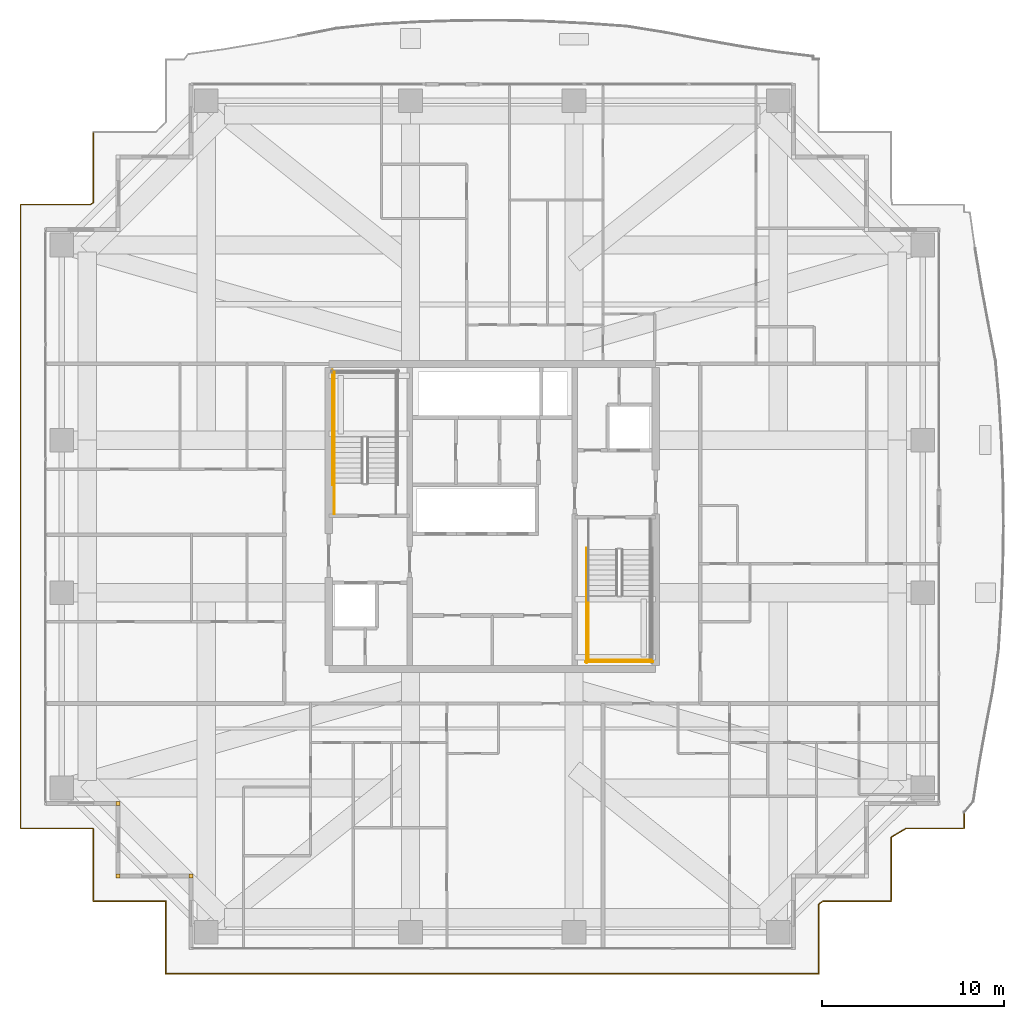
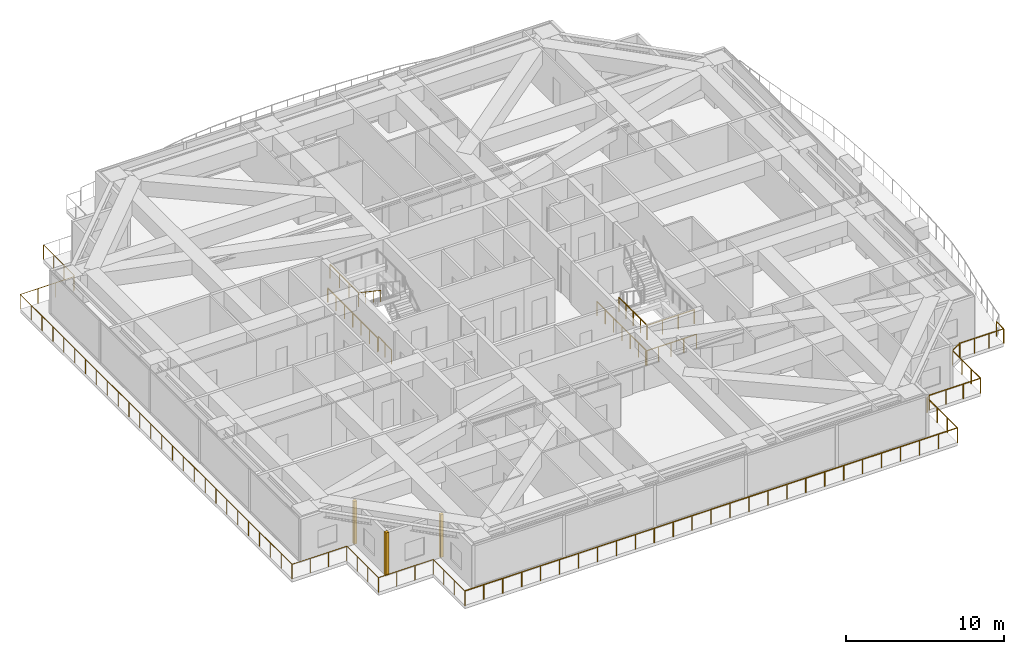
# One storey, part 29 of 32: 10 railings, 3 coverings.
"""IFC4 building model written with IfcOpenShell, lengths in metres."""

from ifc_helpers import new_model, si_unit, direction, frame, origin, origin_2d, place, context, subcontext, project, spatial, rectangle, circle, extrude, source, transform, mapped, material, layer, layer_set, type_object, element, save


model = new_model("IFC4")

# Units and contexts
model_context = context("Model", 3, precision=1e-05, world=origin(), true_north=direction((0.0, 1.0)))
body_context = subcontext(model_context, "Body", "Model", "MODEL_VIEW")
ifc_project = project(units=[si_unit("LENGTHUNIT", "METRE"), si_unit("AREAUNIT", "SQUARE_METRE"), si_unit("VOLUMEUNIT", "CUBIC_METRE"), si_unit("PLANEANGLEUNIT", "RADIAN"), si_unit("MASSUNIT", "GRAM", prefix="KILO")], contexts=[model_context])

# Site, building, storey
site_placement = place(None, origin())
site = spatial("IfcSite", under=ifc_project, at=site_placement, CompositionType="ELEMENT")
building_placement = place(site_placement, origin())
building = spatial("IfcBuilding", under=site, at=building_placement, Name="Serunith Strait Residences", CompositionType="ELEMENT")
storey_placement = place(building_placement, frame((0.0, 0.0, 195.14990234375)))
storey = spatial("IfcBuildingStorey", under=building, at=storey_placement, Name="L49", CompositionType="ELEMENT", Elevation=195.14990234375)

# Railings
ifc_material_1 = material(Name="Stainless Steel & Laminated Glass Balustrade", Category="steel")
railing_type_1 = type_object("IfcRailingType", Name="RLG-BALC-1150", PredefinedType="BALUSTRADE", material=ifc_material_1)
railing_1_placement = place(storey_placement, frame((58.3798828125, 8.912353515625, -0.0498046875)))
element("IfcRailing", 1, at=railing_1_placement, inside=storey, type_object=railing_type_1, Name="L49 Swirling Balcony Perimeter Balustrade 7", PredefinedType="BALUSTRADE", context=body_context, shape_type="SweptSolid", body=[
    extrude(circle(Radius=0.02392578125, at=origin_2d()), frame((0.0, -0.001953125, 1.1259765625), z_axis=(0.0, -1.0, 0.0), x_axis=(1.0, 0.0, 0.0)), (0.0, 0.0, 1.0), 0.888427734375),
    extrude(circle(Radius=0.02392578125, at=origin_2d()), frame((-0.001953125, -0.892333984375, 1.1259765625), z_axis=(-1.0, 0.0, 0.0), x_axis=(0.0, -1.0, 0.0)), (0.0, 0.0, 1.0), 3.202392578125),
    extrude(circle(Radius=0.02392578125, at=origin_2d()), frame((-3.2080078125, -0.893310546875, 1.1259765625), z_axis=(-0.859190538362, -0.511655762002, 0.0), x_axis=(0.511655762002, -0.859190538362, 0.0)), (0.0, 0.0, 1.0), 0.919677734375),
    extrude(circle(Radius=0.02392578125, at=origin_2d()), frame((-4.0, -1.366943359375, 1.1259765625), z_axis=(0.0, -1.0, 0.0), x_axis=(1.0, 0.0, 0.0)), (0.0, 0.0, 1.0), 3.5234375),
    extrude(circle(Radius=0.02392578125, at=origin_2d()), frame((-4.001953125, -4.892333984375, 1.1259765625), z_axis=(-1.0, 0.0, 0.0), x_axis=(0.0, -1.0, 0.0)), (0.0, 0.0, 1.0), 3.769287109375),
    extrude(circle(Radius=0.02392578125, at=origin_2d()), frame((-7.774658203125, -4.8935546875, 1.1259765625), z_axis=(-0.78013092104, -0.625616292976, 0.0), x_axis=(0.625616292976, -0.78013092104, 0.0)), (0.0, 0.0, 1.0), 0.28662109375),
    extrude(circle(Radius=0.02392578125, at=origin_2d()), frame((-8.0, -5.076171875, 1.1259765625), z_axis=(0.0, -1.0, 0.0), x_axis=(1.0, 0.0, 0.0)), (0.0, 0.0, 1.0), 3.814208984375),
    extrude(circle(Radius=0.02392578125, at=origin_2d()), frame((-8.001953125, -8.892333984375, 1.1259765625), z_axis=(-1.0, 0.0, 0.0), x_axis=(0.0, -1.0, 0.0)), (0.0, 0.0, 1.0), 35.9560546875),
    extrude(circle(Radius=0.02099609375, at=origin_2d()), origin(), (0.0, 0.0, 1.0), 1.099853515625),
    extrude(circle(Radius=0.02099609375, at=origin_2d()), frame((0.0, -0.892333984375, 0.0)), (0.0, 0.0, 1.0), 1.099853515625),
    extrude(circle(Radius=0.02099609375, at=origin_2d()), frame((-1.06884765625, -0.892333984375, 0.0)), (0.0, 0.0, 1.0), 1.099853515625),
    extrude(circle(Radius=0.02099609375, at=origin_2d()), frame((-2.137451171875, -0.892333984375, 0.0)), (0.0, 0.0, 1.0), 1.099853515625),
    extrude(circle(Radius=0.02099609375, at=origin_2d()), frame((-3.206298828125, -0.892333984375, 0.0)), (0.0, 0.0, 1.0), 1.099853515625),
    extrude(circle(Radius=0.02099609375, at=origin_2d()), frame((-4.0, -1.364990234375, 0.0)), (0.0, 0.0, 1.0), 1.099853515625),
    extrude(circle(Radius=0.02099609375, at=origin_2d()), frame((-4.0, -2.540771484375, 0.0)), (0.0, 0.0, 1.0), 1.099853515625),
    extrude(circle(Radius=0.02099609375, at=origin_2d()), frame((-4.0, -3.716552734375, 0.0)), (0.0, 0.0, 1.0), 1.099853515625),
    extrude(circle(Radius=0.02099609375, at=origin_2d()), frame((-4.0, -4.892333984375, 0.0)), (0.0, 0.0, 1.0), 1.099853515625),
    extrude(circle(Radius=0.02099609375, at=origin_2d()), frame((-5.2578125, -4.892333984375, 0.0)), (0.0, 0.0, 1.0), 1.099853515625),
    extrude(circle(Radius=0.02099609375, at=origin_2d()), frame((-6.515380859375, -4.892333984375, 0.0)), (0.0, 0.0, 1.0), 1.099853515625),
    extrude(circle(Radius=0.02099609375, at=origin_2d()), frame((-7.773193359375, -4.892333984375, 0.0)), (0.0, 0.0, 1.0), 1.099853515625),
    extrude(circle(Radius=0.02099609375, at=origin_2d()), frame((-8.0, -5.07421875, 0.0)), (0.0, 0.0, 1.0), 1.099853515625),
    extrude(circle(Radius=0.02099609375, at=origin_2d()), frame((-8.0, -6.346923828125, 0.0)), (0.0, 0.0, 1.0), 1.099853515625),
    extrude(circle(Radius=0.02099609375, at=origin_2d()), frame((-8.0, -7.61962890625, 0.0)), (0.0, 0.0, 1.0), 1.099853515625),
    extrude(circle(Radius=0.02099609375, at=origin_2d()), frame((-8.0, -8.892333984375, 0.0)), (0.0, 0.0, 1.0), 1.099853515625),
    extrude(circle(Radius=0.02099609375, at=origin_2d()), frame((-9.383056640625, -8.892333984375, 0.0)), (0.0, 0.0, 1.0), 1.099853515625),
    extrude(circle(Radius=0.02099609375, at=origin_2d()), frame((-10.76611328125, -8.892333984375, 0.0)), (0.0, 0.0, 1.0), 1.099853515625),
    extrude(circle(Radius=0.02099609375, at=origin_2d()), frame((-12.149169921875, -8.892333984375, 0.0)), (0.0, 0.0, 1.0), 1.099853515625),
    extrude(circle(Radius=0.02099609375, at=origin_2d()), frame((-13.5322265625, -8.892333984375, 0.0)), (0.0, 0.0, 1.0), 1.099853515625),
    extrude(circle(Radius=0.02099609375, at=origin_2d()), frame((-14.915283203125, -8.892333984375, 0.0)), (0.0, 0.0, 1.0), 1.099853515625),
    extrude(circle(Radius=0.02099609375, at=origin_2d()), frame((-16.29833984375, -8.892333984375, 0.0)), (0.0, 0.0, 1.0), 1.099853515625),
    extrude(circle(Radius=0.02099609375, at=origin_2d()), frame((-17.681640625, -8.892333984375, 0.0)), (0.0, 0.0, 1.0), 1.099853515625),
    extrude(circle(Radius=0.02099609375, at=origin_2d()), frame((-19.064697265625, -8.892333984375, 0.0)), (0.0, 0.0, 1.0), 1.099853515625),
    extrude(circle(Radius=0.02099609375, at=origin_2d()), frame((-20.44775390625, -8.892333984375, 0.0)), (0.0, 0.0, 1.0), 1.099853515625),
    extrude(circle(Radius=0.02099609375, at=origin_2d()), frame((-21.830810546875, -8.892333984375, 0.0)), (0.0, 0.0, 1.0), 1.099853515625),
    extrude(circle(Radius=0.02099609375, at=origin_2d()), frame((-23.2138671875, -8.892333984375, 0.0)), (0.0, 0.0, 1.0), 1.099853515625),
    extrude(circle(Radius=0.02099609375, at=origin_2d()), frame((-24.596923828125, -8.892333984375, 0.0)), (0.0, 0.0, 1.0), 1.099853515625),
    extrude(circle(Radius=0.02099609375, at=origin_2d()), frame((-25.97998046875, -8.892333984375, 0.0)), (0.0, 0.0, 1.0), 1.099853515625),
    extrude(circle(Radius=0.02099609375, at=origin_2d()), frame((-27.363037109375, -8.892333984375, 0.0)), (0.0, 0.0, 1.0), 1.099853515625),
    extrude(circle(Radius=0.02099609375, at=origin_2d()), frame((-28.74609375, -8.892333984375, 0.0)), (0.0, 0.0, 1.0), 1.099853515625),
    extrude(circle(Radius=0.02099609375, at=origin_2d()), frame((-30.129150390625, -8.892333984375, 0.0)), (0.0, 0.0, 1.0), 1.099853515625),
    extrude(circle(Radius=0.02099609375, at=origin_2d()), frame((-31.51220703125, -8.892333984375, 0.0)), (0.0, 0.0, 1.0), 1.099853515625),
    extrude(circle(Radius=0.02099609375, at=origin_2d()), frame((-32.895263671875, -8.892333984375, 0.0)), (0.0, 0.0, 1.0), 1.099853515625),
    extrude(circle(Radius=0.02099609375, at=origin_2d()), frame((-34.2783203125, -8.892333984375, 0.0)), (0.0, 0.0, 1.0), 1.099853515625),
    extrude(circle(Radius=0.02099609375, at=origin_2d()), frame((-35.66162109375, -8.892333984375, 0.0)), (0.0, 0.0, 1.0), 1.099853515625),
    extrude(circle(Radius=0.02099609375, at=origin_2d()), frame((-37.044677734375, -8.892333984375, 0.0)), (0.0, 0.0, 1.0), 1.099853515625),
    extrude(circle(Radius=0.02099609375, at=origin_2d()), frame((-38.427734375, -8.892333984375, 0.0)), (0.0, 0.0, 1.0), 1.099853515625),
    extrude(circle(Radius=0.02099609375, at=origin_2d()), frame((-39.810791015625, -8.892333984375, 0.0)), (0.0, 0.0, 1.0), 1.099853515625),
    extrude(circle(Radius=0.02099609375, at=origin_2d()), frame((-41.19384765625, -8.892333984375, 0.0)), (0.0, 0.0, 1.0), 1.099853515625),
    extrude(circle(Radius=0.02099609375, at=origin_2d()), frame((-42.576904296875, -8.892333984375, 0.0)), (0.0, 0.0, 1.0), 1.099853515625),
    extrude(circle(Radius=0.02099609375, at=origin_2d()), frame((-43.9599609375, -8.892333984375, 0.0)), (0.0, 0.0, 1.0), 1.099853515625),
])
railing_2_placement = place(storey_placement, frame((14.419921875, 0.02001953125, -0.0498046875)))
element("IfcRailing", 2, at=railing_2_placement, inside=storey, type_object=railing_type_1, Name="L49 Swirling Balcony Perimeter Balustrade 8", PredefinedType="BALUSTRADE", context=body_context, shape_type="SweptSolid", body=[
    extrude(circle(Radius=0.02392578125, at=origin_2d()), frame((0.0, 0.001953125, 1.1259765625), z_axis=(0.0, 1.0, 0.0), x_axis=(-1.0, 0.0, 0.0)), (0.0, 0.0, 1.0), 3.99609375),
    extrude(circle(Radius=0.02392578125, at=origin_2d()), frame((-0.001953125, 4.0, 1.1259765625), z_axis=(-1.0, 0.0, 0.0), x_axis=(0.0, -1.0, 0.0)), (0.0, 0.0, 1.0), 3.99609375),
    extrude(circle(Radius=0.02392578125, at=origin_2d()), frame((-4.0, 4.001953125, 1.1259765625), z_axis=(0.0, 1.0, 0.0), x_axis=(-1.0, 0.0, 0.0)), (0.0, 0.0, 1.0), 3.99609375),
    extrude(circle(Radius=0.02392578125, at=origin_2d()), frame((-4.001953125, 8.0, 1.1259765625), z_axis=(-1.0, 0.0, 0.0), x_axis=(0.0, -1.0, 0.0)), (0.0, 0.0, 1.0), 3.99609375),
    extrude(circle(Radius=0.02392578125, at=origin_2d()), frame((-8.0, 8.001953125, 1.1259765625), z_axis=(0.0, 1.0, 0.0), x_axis=(-1.0, 0.0, 0.0)), (0.0, 0.0, 1.0), 34.35595703125),
    extrude(circle(Radius=0.02392578125, at=origin_2d()), frame((-7.998046875, 42.35986328125, 1.1259765625), z_axis=(1.0, 0.0, 0.0), x_axis=(0.0, 1.0, 0.0)), (0.0, 0.0, 1.0), 3.861083984375),
    extrude(circle(Radius=0.02392578125, at=origin_2d()), frame((-4.13330078125, 42.361083984375, 1.1259765625), z_axis=(0.808862567734, 0.587997743633, 0.0), x_axis=(-0.587997743633, 0.808862567734, 0.0)), (0.0, 0.0, 1.0), 0.162841796875),
    extrude(circle(Radius=0.02392578125, at=origin_2d()), frame((-4.0, 42.4599609375, 1.1259765625), z_axis=(0.0, 1.0, 0.0), x_axis=(-1.0, 0.0, 0.0)), (0.0, 0.0, 1.0), 3.89794921875),
    extrude(circle(Radius=0.02099609375, at=origin_2d()), origin(), (0.0, 0.0, 1.0), 1.099853515625),
    extrude(circle(Radius=0.02099609375, at=origin_2d()), frame((0.0, 1.333251953125, 0.0)), (0.0, 0.0, 1.0), 1.099853515625),
    extrude(circle(Radius=0.02099609375, at=origin_2d()), frame((0.0, 2.666748046875, 0.0)), (0.0, 0.0, 1.0), 1.099853515625),
    extrude(circle(Radius=0.02099609375, at=origin_2d()), frame((0.0, 4.0, 0.0)), (0.0, 0.0, 1.0), 1.099853515625),
    extrude(circle(Radius=0.02099609375, at=origin_2d()), frame((-1.333251953125, 4.0, 0.0)), (0.0, 0.0, 1.0), 1.099853515625),
    extrude(circle(Radius=0.02099609375, at=origin_2d()), frame((-2.666748046875, 4.0, 0.0)), (0.0, 0.0, 1.0), 1.099853515625),
    extrude(circle(Radius=0.02099609375, at=origin_2d()), frame((-4.0, 4.0, 0.0)), (0.0, 0.0, 1.0), 1.099853515625),
    extrude(circle(Radius=0.02099609375, at=origin_2d()), frame((-4.0, 5.333251953125, 0.0)), (0.0, 0.0, 1.0), 1.099853515625),
    extrude(circle(Radius=0.02099609375, at=origin_2d()), frame((-4.0, 6.666748046875, 0.0)), (0.0, 0.0, 1.0), 1.099853515625),
    extrude(circle(Radius=0.02099609375, at=origin_2d()), frame((-4.0, 8.0, 0.0)), (0.0, 0.0, 1.0), 1.099853515625),
    extrude(circle(Radius=0.02099609375, at=origin_2d()), frame((-5.333251953125, 8.0, 0.0)), (0.0, 0.0, 1.0), 1.099853515625),
    extrude(circle(Radius=0.02099609375, at=origin_2d()), frame((-6.666748046875, 8.0, 0.0)), (0.0, 0.0, 1.0), 1.099853515625),
    extrude(circle(Radius=0.02099609375, at=origin_2d()), frame((-8.0, 8.0, 0.0)), (0.0, 0.0, 1.0), 1.099853515625),
    extrude(circle(Radius=0.02099609375, at=origin_2d()), frame((-8.0, 9.37451171875, 0.0)), (0.0, 0.0, 1.0), 1.099853515625),
    extrude(circle(Radius=0.02099609375, at=origin_2d()), frame((-8.0, 10.748779296875, 0.0)), (0.0, 0.0, 1.0), 1.099853515625),
    extrude(circle(Radius=0.02099609375, at=origin_2d()), frame((-8.0, 12.123291015625, 0.0)), (0.0, 0.0, 1.0), 1.099853515625),
    extrude(circle(Radius=0.02099609375, at=origin_2d()), frame((-8.0, 13.49755859375, 0.0)), (0.0, 0.0, 1.0), 1.099853515625),
    extrude(circle(Radius=0.02099609375, at=origin_2d()), frame((-8.0, 14.8720703125, 0.0)), (0.0, 0.0, 1.0), 1.099853515625),
    extrude(circle(Radius=0.02099609375, at=origin_2d()), frame((-8.0, 16.246337890625, 0.0)), (0.0, 0.0, 1.0), 1.099853515625),
    extrude(circle(Radius=0.02099609375, at=origin_2d()), frame((-8.0, 17.620849609375, 0.0)), (0.0, 0.0, 1.0), 1.099853515625),
    extrude(circle(Radius=0.02099609375, at=origin_2d()), frame((-8.0, 18.9951171875, 0.0)), (0.0, 0.0, 1.0), 1.099853515625),
    extrude(circle(Radius=0.02099609375, at=origin_2d()), frame((-8.0, 20.36962890625, 0.0)), (0.0, 0.0, 1.0), 1.099853515625),
    extrude(circle(Radius=0.02099609375, at=origin_2d()), frame((-8.0, 21.743896484375, 0.0)), (0.0, 0.0, 1.0), 1.099853515625),
    extrude(circle(Radius=0.02099609375, at=origin_2d()), frame((-8.0, 23.118408203125, 0.0)), (0.0, 0.0, 1.0), 1.099853515625),
    extrude(circle(Radius=0.02099609375, at=origin_2d()), frame((-8.0, 24.49267578125, 0.0)), (0.0, 0.0, 1.0), 1.099853515625),
    extrude(circle(Radius=0.02099609375, at=origin_2d()), frame((-8.0, 25.8671875, 0.0)), (0.0, 0.0, 1.0), 1.099853515625),
    extrude(circle(Radius=0.02099609375, at=origin_2d()), frame((-8.0, 27.241455078125, 0.0)), (0.0, 0.0, 1.0), 1.099853515625),
    extrude(circle(Radius=0.02099609375, at=origin_2d()), frame((-8.0, 28.615966796875, 0.0)), (0.0, 0.0, 1.0), 1.099853515625),
    extrude(circle(Radius=0.02099609375, at=origin_2d()), frame((-8.0, 29.990234375, 0.0)), (0.0, 0.0, 1.0), 1.099853515625),
    extrude(circle(Radius=0.02099609375, at=origin_2d()), frame((-8.0, 31.36474609375, 0.0)), (0.0, 0.0, 1.0), 1.099853515625),
    extrude(circle(Radius=0.02099609375, at=origin_2d()), frame((-8.0, 32.739013671875, 0.0)), (0.0, 0.0, 1.0), 1.099853515625),
    extrude(circle(Radius=0.02099609375, at=origin_2d()), frame((-8.0, 34.113525390625, 0.0)), (0.0, 0.0, 1.0), 1.099853515625),
    extrude(circle(Radius=0.02099609375, at=origin_2d()), frame((-8.0, 35.48779296875, 0.0)), (0.0, 0.0, 1.0), 1.099853515625),
    extrude(circle(Radius=0.02099609375, at=origin_2d()), frame((-8.0, 36.8623046875, 0.0)), (0.0, 0.0, 1.0), 1.099853515625),
    extrude(circle(Radius=0.02099609375, at=origin_2d()), frame((-8.0, 38.236572265625, 0.0)), (0.0, 0.0, 1.0), 1.099853515625),
    extrude(circle(Radius=0.02099609375, at=origin_2d()), frame((-8.0, 39.611083984375, 0.0)), (0.0, 0.0, 1.0), 1.099853515625),
    extrude(circle(Radius=0.02099609375, at=origin_2d()), frame((-8.0, 40.9853515625, 0.0)), (0.0, 0.0, 1.0), 1.099853515625),
    extrude(circle(Radius=0.02099609375, at=origin_2d()), frame((-8.0, 42.35986328125, 0.0)), (0.0, 0.0, 1.0), 1.099853515625),
    extrude(circle(Radius=0.02099609375, at=origin_2d()), frame((-6.711669921875, 42.35986328125, 0.0)), (0.0, 0.0, 1.0), 1.099853515625),
    extrude(circle(Radius=0.02099609375, at=origin_2d()), frame((-5.42333984375, 42.35986328125, 0.0)), (0.0, 0.0, 1.0), 1.099853515625),
    extrude(circle(Radius=0.02099609375, at=origin_2d()), frame((-4.135009765625, 42.35986328125, 0.0)), (0.0, 0.0, 1.0), 1.099853515625),
    extrude(circle(Radius=0.02099609375, at=origin_2d()), frame((-4.0, 42.4580078125, 0.0)), (0.0, 0.0, 1.0), 1.099853515625),
    extrude(circle(Radius=0.02099609375, at=origin_2d()), frame((-4.0, 43.758544921875, 0.0)), (0.0, 0.0, 1.0), 1.099853515625),
    extrude(circle(Radius=0.02099609375, at=origin_2d()), frame((-4.0, 45.059326171875, 0.0)), (0.0, 0.0, 1.0), 1.099853515625),
    extrude(circle(Radius=0.02099609375, at=origin_2d()), frame((-4.0, 46.35986328125, 0.0)), (0.0, 0.0, 1.0), 1.099853515625),
])
ifc_material_2 = material(Name="Brushed stainless steel 316L", Category="steel")
railing_type_2 = type_object("IfcRailingType", Name="RLG-STAIR-GUARD", PredefinedType="BALUSTRADE", material=ifc_material_2)
railing_3_placement = place(storey_placement, frame((23.699951171875, 29.550048828125, 1.875)))
element("IfcRailing", 3, at=railing_3_placement, inside=storey, type_object=railing_type_2, Name="L49 ST-1 stair guard 4", PredefinedType="BALUSTRADE", context=body_context, shape_type="SweptSolid", body=[
    extrude(circle(Radius=0.02392578125, at=origin_2d()), frame((0.0, 0.001953125, 1.076171875), z_axis=(0.0, 1.0, 0.0), x_axis=(-1.0, 0.0, 0.0)), (0.0, 0.0, 1.0), 3.595947265625),
    extrude(circle(Radius=0.02099609375, at=origin_2d()), origin(), (0.0, 0.0, 1.0), 1.050048828125),
    extrude(circle(Radius=0.02099609375, at=origin_2d()), frame((0.0, 1.199951171875, 0.0)), (0.0, 0.0, 1.0), 1.050048828125),
    extrude(circle(Radius=0.02099609375, at=origin_2d()), frame((0.0, 2.39990234375, 0.0)), (0.0, 0.0, 1.0), 1.050048828125),
    extrude(circle(Radius=0.02099609375, at=origin_2d()), frame((0.0, 3.599853515625, 0.0)), (0.0, 0.0, 1.0), 1.050048828125),
])
railing_4_placement = place(storey_placement, frame((23.699951171875, 25.35009765625, 0.0)))
element("IfcRailing", 4, at=railing_4_placement, inside=storey, type_object=railing_type_2, Name="L49 ST-1 stair guard 9", PredefinedType="BALUSTRADE", context=body_context, shape_type="SweptSolid", body=[
    extrude(circle(Radius=0.02392578125, at=origin_2d()), frame((0.0, 0.001953125, 1.076171875), z_axis=(0.0, 1.0, 0.0), x_axis=(-1.0, 0.0, 0.0)), (0.0, 0.0, 1.0), 1.676025390625),
    extrude(circle(Radius=0.02099609375, at=origin_2d()), origin(), (0.0, 0.0, 1.0), 1.050048828125),
    extrude(circle(Radius=0.02099609375, at=origin_2d()), frame((0.0, 0.83984375, 0.0)), (0.0, 0.0, 1.0), 1.050048828125),
    extrude(circle(Radius=0.02099609375, at=origin_2d()), frame((0.0, 1.679931640625, 0.0)), (0.0, 0.0, 1.0), 1.050048828125),
])
railing_5_placement = place(storey_placement, frame((23.60009765625, 26.929931640625, 0.0)))
element("IfcRailing", 5, at=railing_5_placement, inside=storey, type_object=railing_type_2, Name="L49 ST-1 stair guard 11", PredefinedType="BALUSTRADE", context=body_context, shape_type="SweptSolid", body=[
    extrude(circle(Radius=0.02392578125, at=origin_2d()), frame((0.0, 0.001953125, 1.076171875), z_axis=(0.0, 1.0, 0.0), x_axis=(-1.0, 0.0, 0.0)), (0.0, 0.0, 1.0), 6.316162109375),
    extrude(circle(Radius=0.02099609375, at=origin_2d()), origin(), (0.0, 0.0, 1.0), 1.050048828125),
    extrude(circle(Radius=0.02099609375, at=origin_2d()), frame((0.0, 1.05322265625, 0.0)), (0.0, 0.0, 1.0), 1.050048828125),
    extrude(circle(Radius=0.02099609375, at=origin_2d()), frame((0.0, 2.106689453125, 0.0)), (0.0, 0.0, 1.0), 1.050048828125),
    extrude(circle(Radius=0.02099609375, at=origin_2d()), frame((0.0, 3.16015625, 0.0)), (0.0, 0.0, 1.0), 1.050048828125),
    extrude(circle(Radius=0.02099609375, at=origin_2d()), frame((0.0, 4.21337890625, 0.0)), (0.0, 0.0, 1.0), 1.050048828125),
    extrude(circle(Radius=0.02099609375, at=origin_2d()), frame((0.0, 5.2666015625, 0.0)), (0.0, 0.0, 1.0), 1.050048828125),
    extrude(circle(Radius=0.02099609375, at=origin_2d()), frame((0.0, 6.320068359375, 0.0)), (0.0, 0.0, 1.0), 1.050048828125),
])
railing_6_placement = place(storey_placement, frame((37.699951171875, 20.85009765625, 1.875)))
element("IfcRailing", 6, at=railing_6_placement, inside=storey, type_object=railing_type_2, Name="L49 ST-2 stair guard 3", PredefinedType="BALUSTRADE", context=body_context, shape_type="SweptSolid", body=[
    extrude(circle(Radius=0.02392578125, at=origin_2d()), frame((0.0, -0.001953125, 1.076171875), z_axis=(0.0, -1.0, 0.0), x_axis=(1.0, 0.0, 0.0)), (0.0, 0.0, 1.0), 3.59619140625),
    extrude(circle(Radius=0.02099609375, at=origin_2d()), origin(), (0.0, 0.0, 1.0), 1.050048828125),
    extrude(circle(Radius=0.02099609375, at=origin_2d()), frame((0.0, -0.89990234375, 0.0)), (0.0, 0.0, 1.0), 1.050048828125),
    extrude(circle(Radius=0.02099609375, at=origin_2d()), frame((0.0, -1.800048828125, 0.0)), (0.0, 0.0, 1.0), 1.050048828125),
    extrude(circle(Radius=0.02099609375, at=origin_2d()), frame((0.0, -2.7001953125, 0.0)), (0.0, 0.0, 1.0), 1.050048828125),
    extrude(circle(Radius=0.02099609375, at=origin_2d()), frame((0.0, -3.60009765625, 0.0)), (0.0, 0.0, 1.0), 1.050048828125),
])
railing_7_placement = place(storey_placement, frame((37.64990234375, 17.300048828125, 1.875)))
element("IfcRailing", 7, at=railing_7_placement, inside=storey, type_object=railing_type_2, Name="L49 ST-2 stair guard 5", PredefinedType="BALUSTRADE", context=body_context, shape_type="SweptSolid", body=[
    extrude(circle(Radius=0.02392578125, at=origin_2d()), frame((0.001953125, 0.0, 1.076171875), z_axis=(1.0, 0.0, 0.0), x_axis=(0.0, 1.0, 0.0)), (0.0, 0.0, 1.0), 3.49609375),
    extrude(circle(Radius=0.02099609375, at=origin_2d()), origin(), (0.0, 0.0, 1.0), 1.050048828125),
    extrude(circle(Radius=0.02099609375, at=origin_2d()), frame((1.166748046875, 0.0, 0.0)), (0.0, 0.0, 1.0), 1.050048828125),
    extrude(circle(Radius=0.02099609375, at=origin_2d()), frame((2.333251953125, 0.0, 0.0)), (0.0, 0.0, 1.0), 1.050048828125),
    extrude(circle(Radius=0.02099609375, at=origin_2d()), frame((3.5, 0.0, 0.0)), (0.0, 0.0, 1.0), 1.050048828125),
])
railing_8_placement = place(storey_placement, frame((37.60009765625, 23.469970703125, 0.0)))
element("IfcRailing", 8, at=railing_8_placement, inside=storey, type_object=railing_type_2, Name="L49 ST-2 stair guard 10", PredefinedType="BALUSTRADE", context=body_context, shape_type="SweptSolid", body=[
    extrude(circle(Radius=0.02392578125, at=origin_2d()), frame((0.0, -0.001953125, 1.076171875), z_axis=(0.0, -1.0, 0.0), x_axis=(1.0, 0.0, 0.0)), (0.0, 0.0, 1.0), 6.316162109375),
    extrude(circle(Radius=0.02099609375, at=origin_2d()), origin(), (0.0, 0.0, 1.0), 1.050048828125),
    extrude(circle(Radius=0.02099609375, at=origin_2d()), frame((0.0, -1.05322265625, 0.0)), (0.0, 0.0, 1.0), 1.050048828125),
    extrude(circle(Radius=0.02099609375, at=origin_2d()), frame((0.0, -2.106689453125, 0.0)), (0.0, 0.0, 1.0), 1.050048828125),
    extrude(circle(Radius=0.02099609375, at=origin_2d()), frame((0.0, -3.16015625, 0.0)), (0.0, 0.0, 1.0), 1.050048828125),
    extrude(circle(Radius=0.02099609375, at=origin_2d()), frame((0.0, -4.21337890625, 0.0)), (0.0, 0.0, 1.0), 1.050048828125),
    extrude(circle(Radius=0.02099609375, at=origin_2d()), frame((0.0, -5.2666015625, 0.0)), (0.0, 0.0, 1.0), 1.050048828125),
    extrude(circle(Radius=0.02099609375, at=origin_2d()), frame((0.0, -6.320068359375, 0.0)), (0.0, 0.0, 1.0), 1.050048828125),
])
railing_9_placement = place(storey_placement, frame((37.550048828125, 17.199951171875, 0.0)))
element("IfcRailing", 9, at=railing_9_placement, inside=storey, type_object=railing_type_2, Name="L49 ST-2 stair guard 12", PredefinedType="BALUSTRADE", context=body_context, shape_type="SweptSolid", body=[
    extrude(circle(Radius=0.02392578125, at=origin_2d()), frame((0.001953125, 0.0, 1.076171875), z_axis=(1.0, 0.0, 0.0), x_axis=(0.0, 1.0, 0.0)), (0.0, 0.0, 1.0), 3.696044921875),
    extrude(circle(Radius=0.02099609375, at=origin_2d()), origin(), (0.0, 0.0, 1.0), 1.050048828125),
    extrude(circle(Radius=0.02099609375, at=origin_2d()), frame((0.925048828125, 0.0, 0.0)), (0.0, 0.0, 1.0), 1.050048828125),
    extrude(circle(Radius=0.02099609375, at=origin_2d()), frame((1.85009765625, 0.0, 0.0)), (0.0, 0.0, 1.0), 1.050048828125),
    extrude(circle(Radius=0.02099609375, at=origin_2d()), frame((2.77490234375, 0.0, 0.0)), (0.0, 0.0, 1.0), 1.050048828125),
    extrude(circle(Radius=0.02099609375, at=origin_2d()), frame((3.699951171875, 0.0, 0.0)), (0.0, 0.0, 1.0), 1.050048828125),
])
railing_type_3 = type_object("IfcRailingType", Name="RLG-STAIR-HR", PredefinedType="HANDRAIL", material=ifc_material_2)
railing_10_placement = place(storey_placement, frame((23.699951171875, 29.550048828125, 2.0625)))
element("IfcRailing", 10, at=railing_10_placement, inside=storey, type_object=railing_type_3, Name="L49 ST-1 stair handrail 2", PredefinedType="HANDRAIL", context=body_context, shape_type="SweptSolid", body=[
    extrude(circle(Radius=0.02392578125, at=origin_2d()), frame((0.0, -0.001708984375, 0.876953125), z_axis=(0.0, -0.830208209119, 0.557453432594), x_axis=(1.0, 0.0, 0.0)), (0.0, 0.0, 1.0), 3.36865234375),
    extrude(circle(Radius=0.02099609375, at=origin_2d()), origin(), (0.0, 0.0, 1.0), 0.849853515625),
    extrude(circle(Radius=0.02099609375, at=origin_2d()), frame((0.0, -0.933349609375, 0.626708984375)), (0.0, 0.0, 1.0), 0.849853515625),
    extrude(circle(Radius=0.02099609375, at=origin_2d()), frame((0.0, -1.86669921875, 1.25341796875)), (0.0, 0.0, 1.0), 0.849853515625),
    extrude(circle(Radius=0.02099609375, at=origin_2d()), frame((0.0, -2.800048828125, 1.880126953125)), (0.0, 0.0, 1.0), 0.849853515625),
])

# Coverings
ifc_material_3 = material(Name="Pale-Champagne Anodised Aluminium", Category="aluminium")
ifc_layer = layer(ifc_material_3, 0.219970703125, Name="Pale-Champagne Anodised Aluminium")
ifc_layer_set = layer_set([ifc_layer], Name="Pale-Champagne Anodised Aluminium")
covering_type = type_object("IfcCoveringType", Name="COV-CORN-TRIM", PredefinedType="CLADDING", material=ifc_layer_set)
shared_shape = source(origin(), body_context, "Body", "SweptSolid", [
    extrude(rectangle(XDim=0.221923828125, YDim=0.221923828125, at=origin_2d()), origin(), (0.0, 0.0, 1.0), 3.294921875),
])
for number, where, z_axis, x_axis, name in (
    (11, (11.800048828125, 9.39990234375, 0.000244140625), (0.0, 0.0, 1.0), (1.0, 0.0, 0.0), "L49 Girih Serrated Corner Trim Post 17"),
    (12, (11.800048828125, 5.39990234375, 0.000244140625), (0.0, 0.0, 1.0), (1.0, 0.0, 0.0), "L49 Girih Serrated Corner Trim Post 18"),
    (13, (15.800048828125, 5.39990234375, 0.000244140625), (0.0, 0.0, 1.0), (1.0, 0.0, 0.0), "L49 Girih Serrated Corner Trim Post 19"),
):
    element("IfcCovering", number, at=place(storey_placement, frame(where, z_axis=z_axis, x_axis=x_axis)), inside=storey, type_object=covering_type, Name=name, PredefinedType="CLADDING", context=body_context, shape_type="MappedRepresentation", body=[
        mapped(shared_shape, transform((0.0, 0.0, 0.0), scale=1.0)),
    ])

save(model, "model.ifc")
